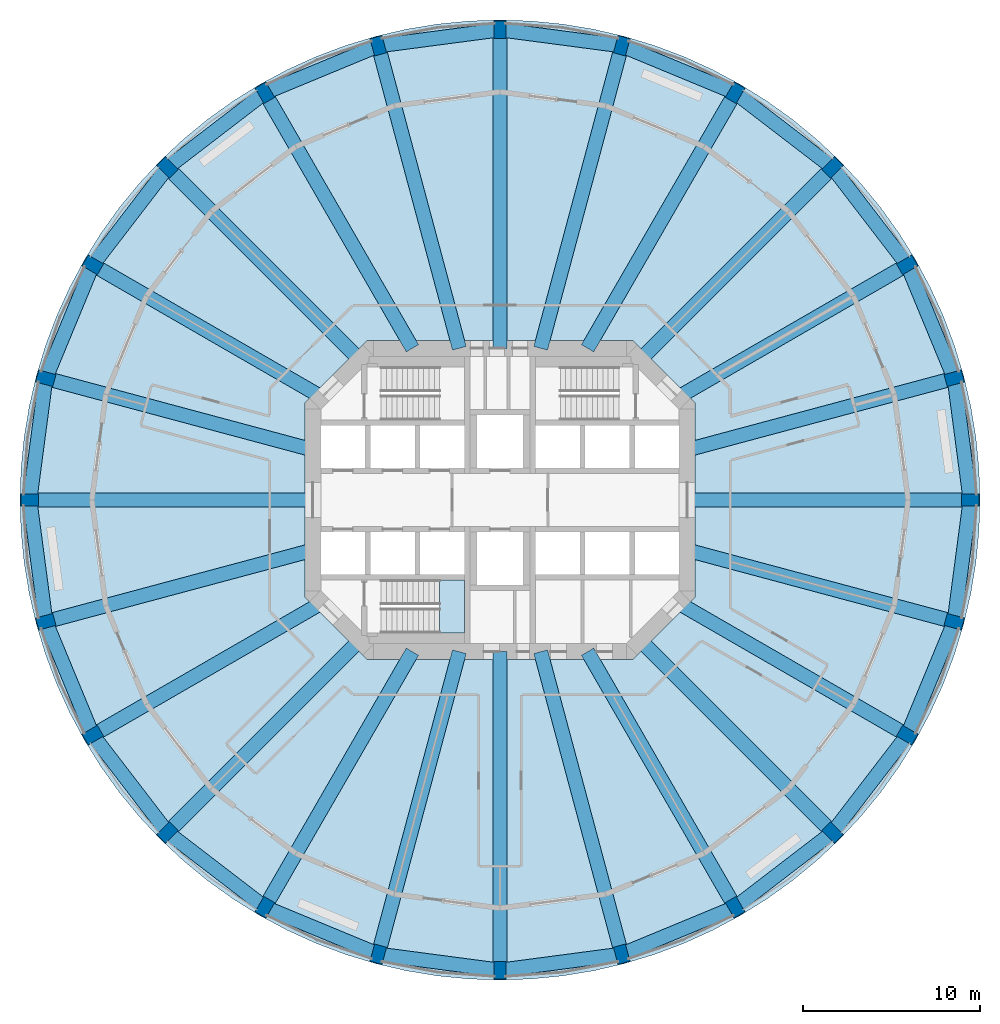
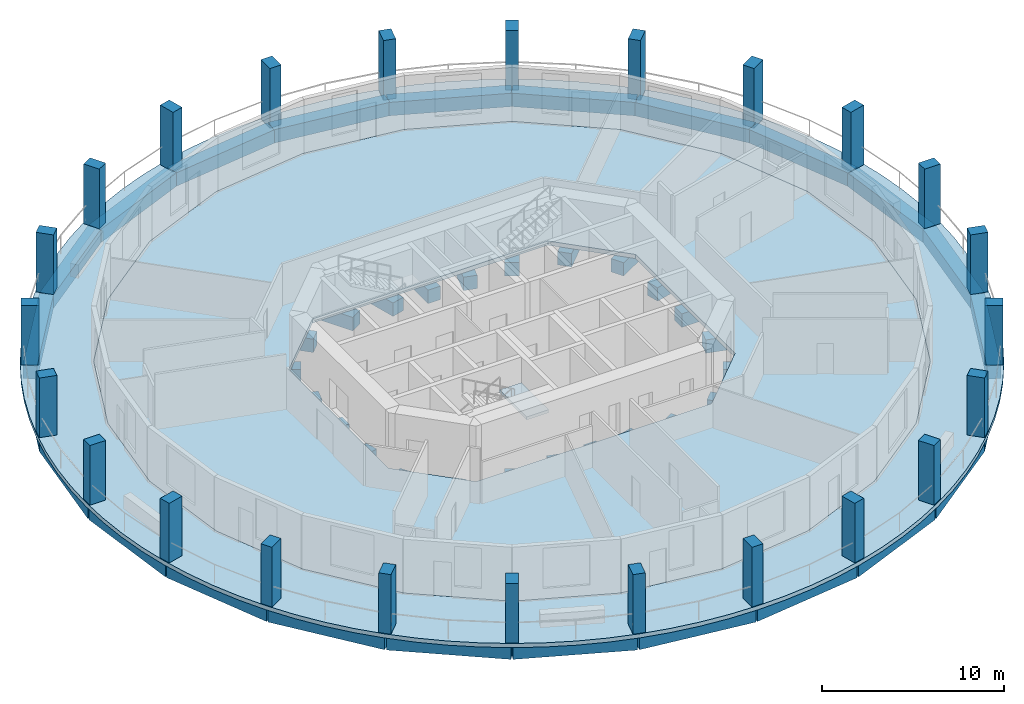
# One storey, part 1 of 9: 48 beams, 24 columns, 3 slabs, 1 element without a shape of its own.
"""IFC4 building model written with IfcOpenShell, lengths in metres."""

from ifc_helpers import new_model, si_unit, direction, frame, origin, origin_2d, place, context, subcontext, project, spatial, polyline, rectangle, outline, extrude, material, layer, layer_set, material_profile, profile_set, type_object, element, aggregate, save


model = new_model("IFC4")

# Units and contexts
model_context = context("Model", 3, precision=1e-05, world=origin(), true_north=direction((0.0, 1.0)))
body_context = subcontext(model_context, "Body", "Model", "MODEL_VIEW")
ifc_project = project(units=[si_unit("LENGTHUNIT", "METRE"), si_unit("AREAUNIT", "SQUARE_METRE"), si_unit("VOLUMEUNIT", "CUBIC_METRE"), si_unit("PLANEANGLEUNIT", "RADIAN"), si_unit("MASSUNIT", "GRAM", prefix="KILO")], contexts=[model_context])

# Site, building, storey
site_placement = place(None, origin())
site = spatial("IfcSite", under=ifc_project, at=site_placement, CompositionType="ELEMENT")
building_placement = place(site_placement, origin())
building = spatial("IfcBuilding", under=site, at=building_placement, Name="Torre Triforio", CompositionType="ELEMENT")
storey_placement = place(building_placement, frame((0.0, 0.0, 43.0)))
storey = spatial("IfcBuildingStorey", under=building, at=storey_placement, Name="L08", CompositionType="ELEMENT", Elevation=43.0)

# Columns
ifc_material_1 = material(Name="Concrete C70", Category="concrete")
ifc_material_profile_1 = material_profile(ifc_material_1, rectangle(XDim=0.699951171875, YDim=1.0, at=origin_2d()), Name="RC 700x1000")
ifc_profile_set_1 = profile_set([ifc_material_profile_1], Name="Concrete C70")
column_type = type_object("IfcColumnType", Name="Pier RC 700x1000 C70", PredefinedType="COLUMN", material=ifc_profile_set_1)
for number, where, z_axis, x_axis, name in (
    (1, (26.5, 0.0, 0.0), (0.0, 0.0, 1.0), (0.0, 1.0, 0.0), "COL.R.L08.00"),
    (2, (25.596923828125, 6.858642578125, 0.0), (0.0, 0.0, 1.0), (-0.258819045103, 0.965925826289, 0.0), "COL.R.L08.01"),
    (3, (22.94970703125, 13.25, 0.0), (0.0, 0.0, 1.0), (-0.5, 0.866025403784, 0.0), "COL.R.L08.02"),
    (4, (18.73828125, 18.73828125, 0.0), (0.0, 0.0, 1.0), (-0.707106781187, 0.707106781187, 0.0), "COL.R.L08.03"),
    (5, (13.25, 22.94970703125, 0.0), (0.0, 0.0, 1.0), (-0.866025403784, 0.5, 0.0), "COL.R.L08.04"),
    (6, (6.858642578125, 25.596923828125, 0.0), (0.0, 0.0, 1.0), (-0.965925826289, 0.258819045103, 0.0), "COL.R.L08.05"),
    (7, (0.0, 26.5, 0.0), (0.0, 0.0, 1.0), (-1.0, 0.0, 0.0), "COL.R.L08.06"),
    (8, (-6.858642578125, 25.596923828125, 0.0), (0.0, 0.0, 1.0), (-0.965925826289, -0.258819045103, 0.0), "COL.R.L08.07"),
    (9, (-13.25, 22.94970703125, 0.0), (0.0, 0.0, 1.0), (-0.866025403784, -0.5, 0.0), "COL.R.L08.08"),
    (10, (-18.73828125, 18.73828125, 0.0), (0.0, 0.0, 1.0), (-0.707106781187, -0.707106781187, 0.0), "COL.R.L08.09"),
    (11, (-22.94970703125, 13.25, 0.0), (0.0, 0.0, 1.0), (-0.5, -0.866025403784, 0.0), "COL.R.L08.10"),
    (12, (-25.596923828125, 6.858642578125, 0.0), (0.0, 0.0, 1.0), (-0.258819045103, -0.965925826289, 0.0), "COL.R.L08.11"),
    (13, (-26.5, 0.0, 0.0), (0.0, 0.0, 1.0), (0.0, -1.0, 0.0), "COL.R.L08.12"),
    (14, (-25.596923828125, -6.858642578125, 0.0), (0.0, 0.0, 1.0), (0.258819045103, -0.965925826289, 0.0), "COL.R.L08.13"),
    (15, (-22.94970703125, -13.25, 0.0), (0.0, 0.0, 1.0), (0.5, -0.866025403784, 0.0), "COL.R.L08.14"),
    (16, (-18.73828125, -18.73828125, 0.0), (0.0, 0.0, 1.0), (0.707106781187, -0.707106781187, 0.0), "COL.R.L08.15"),
    (17, (-13.25, -22.94970703125, 0.0), (0.0, 0.0, 1.0), (0.866025403784, -0.5, 0.0), "COL.R.L08.16"),
    (18, (-6.858642578125, -25.596923828125, 0.0), (0.0, 0.0, 1.0), (0.965925826289, -0.258819045103, 0.0), "COL.R.L08.17"),
    (19, (0.0, -26.5, 0.0), (0.0, 0.0, 1.0), (1.0, 0.0, 0.0), "COL.R.L08.18"),
    (20, (6.858642578125, -25.596923828125, 0.0), (0.0, 0.0, 1.0), (0.965925826289, 0.258819045103, 0.0), "COL.R.L08.19"),
    (21, (13.25, -22.94970703125, 0.0), (0.0, 0.0, 1.0), (0.866025403784, 0.5, 0.0), "COL.R.L08.20"),
    (22, (18.73828125, -18.73828125, 0.0), (0.0, 0.0, 1.0), (0.707106781187, 0.707106781187, 0.0), "COL.R.L08.21"),
    (23, (22.94970703125, -13.25, 0.0), (0.0, 0.0, 1.0), (0.5, 0.866025403784, 0.0), "COL.R.L08.22"),
    (24, (25.596923828125, -6.858642578125, 0.0), (0.0, 0.0, 1.0), (0.258819045103, 0.965925826289, 0.0), "COL.R.L08.23"),
):
    element("IfcColumn", number, at=place(storey_placement, frame(where, z_axis=z_axis, x_axis=x_axis)), inside=storey, type_object=column_type, Name=name, PredefinedType="COLUMN", context=body_context, shape_type="SweptSolid", body=[
        extrude(rectangle(XDim=0.699951171875, YDim=1.0, at=origin_2d()), origin(), (0.0, 0.0, 1.0), 4.0),
    ])

# Beams
ifc_material_2 = material(Name="Concrete C50", Category="concrete")
ifc_material_profile_2 = material_profile(ifc_material_2, rectangle(XDim=0.800048828125, YDim=0.89990234375, at=origin_2d()), Name="RC 800x900")
ifc_profile_set_2 = profile_set([ifc_material_profile_2], Name="Concrete C50")
beam_type_1 = type_object("IfcBeamType", Name="Radial beam RC 800x900 C50", PredefinedType="BEAM", material=ifc_profile_set_2)
beam_1_placement = place(storey_placement, frame((10.550048828125, 0.0, -0.72998046875), z_axis=(1.0, 0.0, 0.0), x_axis=(0.0, 1.0, 0.0)))
element("IfcBeam", 25, at=beam_1_placement, inside=storey, type_object=beam_type_1, Name="BM.R.L08.00", PredefinedType="BEAM", context=body_context, shape_type="SweptSolid", body=[
    extrude(rectangle(XDim=0.800048828125, YDim=0.89990234375, at=origin_2d()), origin(), (0.0, 0.0, 1.0), 15.949951171875),
])
beam_2_placement = place(storey_placement, frame((10.550048828125, 2.826904296875, -0.72998046875), z_axis=(0.965926784764, 0.258815467997, 0.0), x_axis=(-0.258815467997, 0.965926784764, 0.0)))
element("IfcBeam", 26, at=beam_2_placement, inside=storey, type_object=beam_type_1, Name="BM.R.L08.01", PredefinedType="BEAM", context=body_context, shape_type="SweptSolid", body=[
    extrude(rectangle(XDim=0.800048828125, YDim=0.89990234375, at=origin_2d()), origin(), (0.0, 0.0, 1.0), 15.57763671875),
])
beam_3_placement = place(storey_placement, frame((10.039794921875, 5.796630859375, -0.72998046875), z_axis=(0.866030402573, 0.499991341745, 0.0), x_axis=(-0.499991341745, 0.866030402573, 0.0)))
element("IfcBeam", 27, at=beam_3_placement, inside=storey, type_object=beam_type_1, Name="BM.R.L08.02", PredefinedType="BEAM", context=body_context, shape_type="SweptSolid", body=[
    extrude(rectangle(XDim=0.800048828125, YDim=0.89990234375, at=origin_2d()), origin(), (0.0, 0.0, 1.0), 14.906982421875),
])
beam_4_placement = place(storey_placement, frame((7.918212890625, 7.918212890625, -0.72998046875), z_axis=(0.707106781187, 0.707106781187, 0.0), x_axis=(-0.707106781187, 0.707106781187, 0.0)))
element("IfcBeam", 28, at=beam_4_placement, inside=storey, type_object=beam_type_1, Name="BM.R.L08.03", PredefinedType="BEAM", context=body_context, shape_type="SweptSolid", body=[
    extrude(rectangle(XDim=0.800048828125, YDim=0.89990234375, at=origin_2d()), origin(), (0.0, 0.0, 1.0), 15.302001953125),
])
beam_5_placement = place(storey_placement, frame((4.936279296875, 8.550048828125, -0.72998046875), z_axis=(0.500003345241, 0.8660234724, 0.0), x_axis=(-0.8660234724, 0.500003345241, 0.0)))
element("IfcBeam", 29, at=beam_5_placement, inside=storey, type_object=beam_type_1, Name="BM.R.L08.04", PredefinedType="BEAM", context=body_context, shape_type="SweptSolid", body=[
    extrude(rectangle(XDim=0.800048828125, YDim=0.89990234375, at=origin_2d()), origin(), (0.0, 0.0, 1.0), 16.62744140625),
])
beam_6_placement = place(storey_placement, frame((2.291015625, 8.550048828125, -0.72998046875), z_axis=(0.258815374176, 0.965926809903, 0.0), x_axis=(-0.965926809903, 0.258815374176, 0.0)))
element("IfcBeam", 30, at=beam_6_placement, inside=storey, type_object=beam_type_1, Name="BM.R.L08.05", PredefinedType="BEAM", context=body_context, shape_type="SweptSolid", body=[
    extrude(rectangle(XDim=0.800048828125, YDim=0.89990234375, at=origin_2d()), origin(), (0.0, 0.0, 1.0), 17.648193359375),
])
beam_7_placement = place(storey_placement, frame((0.0, 8.550048828125, -0.72998046875), z_axis=(0.0, 1.0, 0.0), x_axis=(-1.0, 0.0, 0.0)))
element("IfcBeam", 31, at=beam_7_placement, inside=storey, type_object=beam_type_1, Name="BM.R.L08.06", PredefinedType="BEAM", context=body_context, shape_type="SweptSolid", body=[
    extrude(rectangle(XDim=0.800048828125, YDim=0.89990234375, at=origin_2d()), origin(), (0.0, 0.0, 1.0), 17.949951171875),
])
beam_8_placement = place(storey_placement, frame((-2.291015625, 8.550048828125, -0.72998046875), z_axis=(-0.258815374176, 0.965926809903, 0.0), x_axis=(-0.965926809903, -0.258815374176, 0.0)))
element("IfcBeam", 32, at=beam_8_placement, inside=storey, type_object=beam_type_1, Name="BM.R.L08.07", PredefinedType="BEAM", context=body_context, shape_type="SweptSolid", body=[
    extrude(rectangle(XDim=0.800048828125, YDim=0.89990234375, at=origin_2d()), origin(), (0.0, 0.0, 1.0), 17.648193359375),
])
beam_9_placement = place(storey_placement, frame((-4.936279296875, 8.550048828125, -0.72998046875), z_axis=(-0.500003345241, 0.8660234724, 0.0), x_axis=(-0.8660234724, -0.500003345241, 0.0)))
element("IfcBeam", 33, at=beam_9_placement, inside=storey, type_object=beam_type_1, Name="BM.R.L08.08", PredefinedType="BEAM", context=body_context, shape_type="SweptSolid", body=[
    extrude(rectangle(XDim=0.800048828125, YDim=0.89990234375, at=origin_2d()), origin(), (0.0, 0.0, 1.0), 16.62744140625),
])
beam_10_placement = place(storey_placement, frame((-7.918212890625, 7.918212890625, -0.72998046875), z_axis=(-0.707106781187, 0.707106781187, 0.0), x_axis=(-0.707106781187, -0.707106781187, 0.0)))
element("IfcBeam", 34, at=beam_10_placement, inside=storey, type_object=beam_type_1, Name="BM.R.L08.09", PredefinedType="BEAM", context=body_context, shape_type="SweptSolid", body=[
    extrude(rectangle(XDim=0.800048828125, YDim=0.89990234375, at=origin_2d()), origin(), (0.0, 0.0, 1.0), 15.302001953125),
])
beam_11_placement = place(storey_placement, frame((-10.039794921875, 5.796630859375, -0.72998046875), z_axis=(-0.866030402573, 0.499991341745, 0.0), x_axis=(-0.499991341745, -0.866030402573, 0.0)))
element("IfcBeam", 35, at=beam_11_placement, inside=storey, type_object=beam_type_1, Name="BM.R.L08.10", PredefinedType="BEAM", context=body_context, shape_type="SweptSolid", body=[
    extrude(rectangle(XDim=0.800048828125, YDim=0.89990234375, at=origin_2d()), origin(), (0.0, 0.0, 1.0), 14.906982421875),
])
beam_12_placement = place(storey_placement, frame((-10.550048828125, 2.826904296875, -0.72998046875), z_axis=(-0.965926784764, 0.258815467997, 0.0), x_axis=(-0.258815467997, -0.965926784764, 0.0)))
element("IfcBeam", 36, at=beam_12_placement, inside=storey, type_object=beam_type_1, Name="BM.R.L08.11", PredefinedType="BEAM", context=body_context, shape_type="SweptSolid", body=[
    extrude(rectangle(XDim=0.800048828125, YDim=0.89990234375, at=origin_2d()), origin(), (0.0, 0.0, 1.0), 15.57763671875),
])
beam_13_placement = place(storey_placement, frame((-10.550048828125, 0.0, -0.72998046875), z_axis=(-1.0, 0.0, 0.0), x_axis=(0.0, -1.0, 0.0)))
element("IfcBeam", 37, at=beam_13_placement, inside=storey, type_object=beam_type_1, Name="BM.R.L08.12", PredefinedType="BEAM", context=body_context, shape_type="SweptSolid", body=[
    extrude(rectangle(XDim=0.800048828125, YDim=0.89990234375, at=origin_2d()), origin(), (0.0, 0.0, 1.0), 15.949951171875),
])
beam_14_placement = place(storey_placement, frame((-10.550048828125, -2.826904296875, -0.72998046875), z_axis=(-0.965926784764, -0.258815467997, 0.0), x_axis=(0.258815467997, -0.965926784764, 0.0)))
element("IfcBeam", 38, at=beam_14_placement, inside=storey, type_object=beam_type_1, Name="BM.R.L08.13", PredefinedType="BEAM", context=body_context, shape_type="SweptSolid", body=[
    extrude(rectangle(XDim=0.800048828125, YDim=0.89990234375, at=origin_2d()), origin(), (0.0, 0.0, 1.0), 15.57763671875),
])
beam_15_placement = place(storey_placement, frame((-10.039794921875, -5.796630859375, -0.72998046875), z_axis=(-0.866030402573, -0.499991341745, 0.0), x_axis=(0.499991341745, -0.866030402573, 0.0)))
element("IfcBeam", 39, at=beam_15_placement, inside=storey, type_object=beam_type_1, Name="BM.R.L08.14", PredefinedType="BEAM", context=body_context, shape_type="SweptSolid", body=[
    extrude(rectangle(XDim=0.800048828125, YDim=0.89990234375, at=origin_2d()), origin(), (0.0, 0.0, 1.0), 14.906982421875),
])
beam_16_placement = place(storey_placement, frame((-7.918212890625, -7.918212890625, -0.72998046875), z_axis=(-0.707106781187, -0.707106781187, 0.0), x_axis=(0.707106781187, -0.707106781187, 0.0)))
element("IfcBeam", 40, at=beam_16_placement, inside=storey, type_object=beam_type_1, Name="BM.R.L08.15", PredefinedType="BEAM", context=body_context, shape_type="SweptSolid", body=[
    extrude(rectangle(XDim=0.800048828125, YDim=0.89990234375, at=origin_2d()), origin(), (0.0, 0.0, 1.0), 15.302001953125),
])
beam_17_placement = place(storey_placement, frame((-4.936279296875, -8.550048828125, -0.72998046875), z_axis=(-0.500003345241, -0.8660234724, 0.0), x_axis=(0.8660234724, -0.500003345241, 0.0)))
element("IfcBeam", 41, at=beam_17_placement, inside=storey, type_object=beam_type_1, Name="BM.R.L08.16", PredefinedType="BEAM", context=body_context, shape_type="SweptSolid", body=[
    extrude(rectangle(XDim=0.800048828125, YDim=0.89990234375, at=origin_2d()), origin(), (0.0, 0.0, 1.0), 16.62744140625),
])
beam_18_placement = place(storey_placement, frame((-2.291015625, -8.550048828125, -0.72998046875), z_axis=(-0.258815374176, -0.965926809903, 0.0), x_axis=(0.965926809903, -0.258815374176, 0.0)))
element("IfcBeam", 42, at=beam_18_placement, inside=storey, type_object=beam_type_1, Name="BM.R.L08.17", PredefinedType="BEAM", context=body_context, shape_type="SweptSolid", body=[
    extrude(rectangle(XDim=0.800048828125, YDim=0.89990234375, at=origin_2d()), origin(), (0.0, 0.0, 1.0), 17.648193359375),
])
beam_19_placement = place(storey_placement, frame((0.0, -8.550048828125, -0.72998046875), z_axis=(0.0, -1.0, 0.0), x_axis=(1.0, 0.0, 0.0)))
element("IfcBeam", 43, at=beam_19_placement, inside=storey, type_object=beam_type_1, Name="BM.R.L08.18", PredefinedType="BEAM", context=body_context, shape_type="SweptSolid", body=[
    extrude(rectangle(XDim=0.800048828125, YDim=0.89990234375, at=origin_2d()), origin(), (0.0, 0.0, 1.0), 17.949951171875),
])
beam_20_placement = place(storey_placement, frame((2.291015625, -8.550048828125, -0.72998046875), z_axis=(0.258815374176, -0.965926809903, 0.0), x_axis=(0.965926809903, 0.258815374176, 0.0)))
element("IfcBeam", 44, at=beam_20_placement, inside=storey, type_object=beam_type_1, Name="BM.R.L08.19", PredefinedType="BEAM", context=body_context, shape_type="SweptSolid", body=[
    extrude(rectangle(XDim=0.800048828125, YDim=0.89990234375, at=origin_2d()), origin(), (0.0, 0.0, 1.0), 17.648193359375),
])
beam_21_placement = place(storey_placement, frame((4.936279296875, -8.550048828125, -0.72998046875), z_axis=(0.500003345241, -0.8660234724, 0.0), x_axis=(0.8660234724, 0.500003345241, 0.0)))
element("IfcBeam", 45, at=beam_21_placement, inside=storey, type_object=beam_type_1, Name="BM.R.L08.20", PredefinedType="BEAM", context=body_context, shape_type="SweptSolid", body=[
    extrude(rectangle(XDim=0.800048828125, YDim=0.89990234375, at=origin_2d()), origin(), (0.0, 0.0, 1.0), 16.62744140625),
])
beam_22_placement = place(storey_placement, frame((7.918212890625, -7.918212890625, -0.72998046875), z_axis=(0.707106781187, -0.707106781187, 0.0), x_axis=(0.707106781187, 0.707106781187, 0.0)))
element("IfcBeam", 46, at=beam_22_placement, inside=storey, type_object=beam_type_1, Name="BM.R.L08.21", PredefinedType="BEAM", context=body_context, shape_type="SweptSolid", body=[
    extrude(rectangle(XDim=0.800048828125, YDim=0.89990234375, at=origin_2d()), origin(), (0.0, 0.0, 1.0), 15.302001953125),
])
beam_23_placement = place(storey_placement, frame((10.039794921875, -5.796630859375, -0.72998046875), z_axis=(0.866030402573, -0.499991341745, 0.0), x_axis=(0.499991341745, 0.866030402573, 0.0)))
element("IfcBeam", 47, at=beam_23_placement, inside=storey, type_object=beam_type_1, Name="BM.R.L08.22", PredefinedType="BEAM", context=body_context, shape_type="SweptSolid", body=[
    extrude(rectangle(XDim=0.800048828125, YDim=0.89990234375, at=origin_2d()), origin(), (0.0, 0.0, 1.0), 14.906982421875),
])
beam_24_placement = place(storey_placement, frame((10.550048828125, -2.826904296875, -0.72998046875), z_axis=(0.965926784764, -0.258815467997, 0.0), x_axis=(0.258815467997, 0.965926784764, 0.0)))
element("IfcBeam", 48, at=beam_24_placement, inside=storey, type_object=beam_type_1, Name="BM.R.L08.23", PredefinedType="BEAM", context=body_context, shape_type="SweptSolid", body=[
    extrude(rectangle(XDim=0.800048828125, YDim=0.89990234375, at=origin_2d()), origin(), (0.0, 0.0, 1.0), 15.57763671875),
])
ifc_material_profile_3 = material_profile(ifc_material_2, rectangle(XDim=0.800048828125, YDim=0.89990234375, at=origin_2d()), Name="RC 800x900")
ifc_profile_set_3 = profile_set([ifc_material_profile_3], Name="Concrete C50")
beam_type_2 = type_object("IfcBeamType", Name="Spandrel beam RC 800x900 C50", PredefinedType="SPANDREL", material=ifc_profile_set_3)
beam_25_placement = place(storey_placement, frame((26.5, 0.0, -0.72998046875), z_axis=(-0.130543064996, 0.991442639885, 0.0), x_axis=(-0.991442639885, -0.130543064996, 0.0)))
element("IfcBeam", 49, at=beam_25_placement, inside=storey, type_object=beam_type_2, Name="BM.S.L08.00", PredefinedType="SPANDREL", context=body_context, shape_type="SweptSolid", body=[
    extrude(rectangle(XDim=0.800048828125, YDim=0.89990234375, at=origin_2d()), origin(), (0.0, 0.0, 1.0), 6.917724609375),
])
for number, where, z_axis, x_axis, name in (
    (50, (25.596923828125, 6.858642578125, -0.72998046875), (-0.382662441128, 0.923888227087, 0.0), (-0.923888227087, -0.382662441128, 0.0), "BM.S.L08.01"),
    (51, (22.94970703125, 13.25, -0.72998046875), (-0.608772297796, 0.793345000259, 0.0), (-0.793345000259, -0.608772297796, 0.0), "BM.S.L08.02"),
    (52, (18.73828125, 18.73828125, -0.72998046875), (-0.793345000259, 0.608772297796, 0.0), (-0.608772297796, -0.793345000259, 0.0), "BM.S.L08.03"),
    (53, (13.25, 22.94970703125, -0.72998046875), (-0.923888227087, 0.382662441128, 0.0), (-0.382662441128, -0.923888227087, 0.0), "BM.S.L08.04"),
):
    element("IfcBeam", number, at=place(storey_placement, frame(where, z_axis=z_axis, x_axis=x_axis)), inside=storey, type_object=beam_type_2, Name=name, PredefinedType="SPANDREL", context=body_context, shape_type="SweptSolid", body=[
        extrude(rectangle(XDim=0.800048828125, YDim=0.89990234375, at=origin_2d()), origin(), (0.0, 0.0, 1.0), 6.91796875),
    ])
for number, where, z_axis, x_axis, name in (
    (54, (6.858642578125, 25.596923828125, -0.72998046875), (-0.991442639885, 0.130543064996, 0.0), (-0.130543064996, -0.991442639885, 0.0), "BM.S.L08.05"),
    (55, (0.0, 26.5, -0.72998046875), (-0.991442639885, -0.130543064996, 0.0), (0.130543064996, -0.991442639885, 0.0), "BM.S.L08.06"),
):
    element("IfcBeam", number, at=place(storey_placement, frame(where, z_axis=z_axis, x_axis=x_axis)), inside=storey, type_object=beam_type_2, Name=name, PredefinedType="SPANDREL", context=body_context, shape_type="SweptSolid", body=[
        extrude(rectangle(XDim=0.800048828125, YDim=0.89990234375, at=origin_2d()), origin(), (0.0, 0.0, 1.0), 6.917724609375),
    ])
for number, where, z_axis, x_axis, name in (
    (56, (-6.858642578125, 25.596923828125, -0.72998046875), (-0.923888227087, -0.382662441128, 0.0), (0.382662441128, -0.923888227087, 0.0), "BM.S.L08.07"),
    (57, (-13.25, 22.94970703125, -0.72998046875), (-0.793345000259, -0.608772297796, 0.0), (0.608772297796, -0.793345000259, 0.0), "BM.S.L08.08"),
    (58, (-18.73828125, 18.73828125, -0.72998046875), (-0.608772297796, -0.793345000259, 0.0), (0.793345000259, -0.608772297796, 0.0), "BM.S.L08.09"),
    (59, (-22.94970703125, 13.25, -0.72998046875), (-0.382662441128, -0.923888227087, 0.0), (0.923888227087, -0.382662441128, 0.0), "BM.S.L08.10"),
):
    element("IfcBeam", number, at=place(storey_placement, frame(where, z_axis=z_axis, x_axis=x_axis)), inside=storey, type_object=beam_type_2, Name=name, PredefinedType="SPANDREL", context=body_context, shape_type="SweptSolid", body=[
        extrude(rectangle(XDim=0.800048828125, YDim=0.89990234375, at=origin_2d()), origin(), (0.0, 0.0, 1.0), 6.91796875),
    ])
for number, where, z_axis, x_axis, name in (
    (60, (-25.596923828125, 6.858642578125, -0.72998046875), (-0.130543064996, -0.991442639885, 0.0), (0.991442639885, -0.130543064996, 0.0), "BM.S.L08.11"),
    (61, (-26.5, 0.0, -0.72998046875), (0.130543064996, -0.991442639885, 0.0), (0.991442639885, 0.130543064996, 0.0), "BM.S.L08.12"),
):
    element("IfcBeam", number, at=place(storey_placement, frame(where, z_axis=z_axis, x_axis=x_axis)), inside=storey, type_object=beam_type_2, Name=name, PredefinedType="SPANDREL", context=body_context, shape_type="SweptSolid", body=[
        extrude(rectangle(XDim=0.800048828125, YDim=0.89990234375, at=origin_2d()), origin(), (0.0, 0.0, 1.0), 6.917724609375),
    ])
for number, where, z_axis, x_axis, name in (
    (62, (-25.596923828125, -6.858642578125, -0.72998046875), (0.382662441128, -0.923888227087, 0.0), (0.923888227087, 0.382662441128, 0.0), "BM.S.L08.13"),
    (63, (-22.94970703125, -13.25, -0.72998046875), (0.608772297796, -0.793345000259, 0.0), (0.793345000259, 0.608772297796, 0.0), "BM.S.L08.14"),
    (64, (-18.73828125, -18.73828125, -0.72998046875), (0.793345000259, -0.608772297796, 0.0), (0.608772297796, 0.793345000259, 0.0), "BM.S.L08.15"),
    (65, (-13.25, -22.94970703125, -0.72998046875), (0.923888227087, -0.382662441128, 0.0), (0.382662441128, 0.923888227087, 0.0), "BM.S.L08.16"),
):
    element("IfcBeam", number, at=place(storey_placement, frame(where, z_axis=z_axis, x_axis=x_axis)), inside=storey, type_object=beam_type_2, Name=name, PredefinedType="SPANDREL", context=body_context, shape_type="SweptSolid", body=[
        extrude(rectangle(XDim=0.800048828125, YDim=0.89990234375, at=origin_2d()), origin(), (0.0, 0.0, 1.0), 6.91796875),
    ])
for number, where, z_axis, x_axis, name in (
    (66, (-6.858642578125, -25.596923828125, -0.72998046875), (0.991442639885, -0.130543064996, 0.0), (0.130543064996, 0.991442639885, 0.0), "BM.S.L08.17"),
    (67, (0.0, -26.5, -0.72998046875), (0.991442639885, 0.130543064996, 0.0), (-0.130543064996, 0.991442639885, 0.0), "BM.S.L08.18"),
):
    element("IfcBeam", number, at=place(storey_placement, frame(where, z_axis=z_axis, x_axis=x_axis)), inside=storey, type_object=beam_type_2, Name=name, PredefinedType="SPANDREL", context=body_context, shape_type="SweptSolid", body=[
        extrude(rectangle(XDim=0.800048828125, YDim=0.89990234375, at=origin_2d()), origin(), (0.0, 0.0, 1.0), 6.917724609375),
    ])
for number, where, z_axis, x_axis, name in (
    (68, (6.858642578125, -25.596923828125, -0.72998046875), (0.923888227087, 0.382662441128, 0.0), (-0.382662441128, 0.923888227087, 0.0), "BM.S.L08.19"),
    (69, (13.25, -22.94970703125, -0.72998046875), (0.793345000259, 0.608772297796, 0.0), (-0.608772297796, 0.793345000259, 0.0), "BM.S.L08.20"),
    (70, (18.73828125, -18.73828125, -0.72998046875), (0.608772297796, 0.793345000259, 0.0), (-0.793345000259, 0.608772297796, 0.0), "BM.S.L08.21"),
    (71, (22.94970703125, -13.25, -0.72998046875), (0.382662441128, 0.923888227087, 0.0), (-0.923888227087, 0.382662441128, 0.0), "BM.S.L08.22"),
):
    element("IfcBeam", number, at=place(storey_placement, frame(where, z_axis=z_axis, x_axis=x_axis)), inside=storey, type_object=beam_type_2, Name=name, PredefinedType="SPANDREL", context=body_context, shape_type="SweptSolid", body=[
        extrude(rectangle(XDim=0.800048828125, YDim=0.89990234375, at=origin_2d()), origin(), (0.0, 0.0, 1.0), 6.91796875),
    ])
beam_26_placement = place(storey_placement, frame((25.596923828125, -6.858642578125, -0.72998046875), z_axis=(0.130543064996, 0.991442639885, 0.0), x_axis=(-0.991442639885, 0.130543064996, 0.0)))
element("IfcBeam", 72, at=beam_26_placement, inside=storey, type_object=beam_type_2, Name="BM.S.L08.23", PredefinedType="SPANDREL", context=body_context, shape_type="SweptSolid", body=[
    extrude(rectangle(XDim=0.800048828125, YDim=0.89990234375, at=origin_2d()), origin(), (0.0, 0.0, 1.0), 6.917724609375),
])

# Slabs
ifc_layer_1 = layer(ifc_material_2, 0.280029296875)
ifc_layer_set_1 = layer_set([ifc_layer_1], Name="Concrete C50")
slab_type_1 = type_object("IfcSlabType", Name="Floor slab 280 C50", PredefinedType="FLOOR", material=ifc_layer_set_1)
slab_1_placement = place(storey_placement, frame((0.0, 0.0, -0.280029296875)))
element("IfcSlab", 73, at=slab_1_placement, inside=storey, type_object=slab_type_1, Name="SL.L08", PredefinedType="FLOOR", context=body_context, shape_type="SweptSolid", body=[
    extrude(outline(polyline([(19.918701171875, -11.5), (22.21630859375, -5.952880859375), (23.0, 0.0), (22.21630859375, 5.952880859375), (19.918701171875, 11.5), (16.263427734375, 16.263427734375), (11.5, 19.918701171875), (5.952880859375, 22.21630859375), (0.0, 23.0), (-5.952880859375, 22.21630859375), (-11.5, 19.918701171875), (-16.263427734375, 16.263427734375), (-19.918701171875, 11.5), (-22.21630859375, 5.952880859375), (-23.0, 0.0), (-22.21630859375, -5.952880859375), (-19.918701171875, -11.5), (-16.263427734375, -16.263427734375), (-11.5, -19.918701171875), (-5.952880859375, -22.21630859375), (0.0, -23.0), (5.952880859375, -22.21630859375), (11.5, -19.918701171875), (16.263427734375, -16.263427734375), (19.918701171875, -11.5)]), holes=[polyline([(11.0, 5.472900390625), (11.0, -5.472900390625), (7.472900390625, -9.0), (-7.472900390625, -9.0), (-11.0, -5.472900390625), (-11.0, 5.472900390625), (-7.472900390625, 9.0), (7.472900390625, 9.0), (11.0, 5.472900390625)])]), origin(), (0.0, 0.0, 1.0), 0.280029296875),
])
ifc_layer_2 = layer(ifc_material_2, 0.280029296875)
ifc_layer_set_2 = layer_set([ifc_layer_2], Name="Concrete C50")
slab_type_2 = type_object("IfcSlabType", Name="Loggia slab 280 C50", PredefinedType="FLOOR", material=ifc_layer_set_2)
slab_2_placement = place(storey_placement, frame((0.0, 0.0, -0.280029296875)))
element("IfcSlab", 74, at=slab_2_placement, inside=storey, type_object=slab_type_2, Name="SL.L08.LG", PredefinedType="FLOOR", context=body_context, shape_type="SweptSolid", body=[
    extrude(outline(polyline([(26.9921875, -1.76904296875), (27.050048828125, 0.0), (26.9921875, 1.76904296875), (26.818603515625, 3.53076171875), (26.5302734375, 5.277099609375), (26.128173828125, 7.0009765625), (25.614501953125, 8.69482421875), (24.990966796875, 10.3515625), (24.260498046875, 11.9638671875), (23.426025390625, 13.52490234375), (22.4912109375, 15.028076171875), (21.460205078125, 16.467041015625), (20.337158203125, 17.835205078125), (19.127197265625, 19.127197265625), (17.835205078125, 20.337158203125), (16.467041015625, 21.460205078125), (15.028076171875, 22.4912109375), (13.52490234375, 23.426025390625), (11.9638671875, 24.260498046875), (10.3515625, 24.990966796875), (8.69482421875, 25.614501953125), (7.0009765625, 26.128173828125), (5.277099609375, 26.5302734375), (3.53076171875, 26.818603515625), (1.76904296875, 26.9921875), (0.0, 27.050048828125), (-1.76904296875, 26.9921875), (-3.53076171875, 26.818603515625), (-5.277099609375, 26.5302734375), (-7.0009765625, 26.128173828125), (-8.69482421875, 25.614501953125), (-10.3515625, 24.990966796875), (-11.9638671875, 24.260498046875), (-13.52490234375, 23.426025390625), (-15.028076171875, 22.4912109375), (-16.467041015625, 21.460205078125), (-17.835205078125, 20.337158203125), (-19.127197265625, 19.127197265625), (-20.337158203125, 17.835205078125), (-21.460205078125, 16.467041015625), (-22.4912109375, 15.028076171875), (-23.426025390625, 13.52490234375), (-24.260498046875, 11.9638671875), (-24.990966796875, 10.3515625), (-25.614501953125, 8.69482421875), (-26.128173828125, 7.0009765625), (-26.5302734375, 5.277099609375), (-26.818603515625, 3.53076171875), (-26.9921875, 1.76904296875), (-27.050048828125, 0.0), (-26.9921875, -1.76904296875), (-26.818603515625, -3.53076171875), (-26.5302734375, -5.277099609375), (-26.128173828125, -7.0009765625), (-25.614501953125, -8.69482421875), (-24.990966796875, -10.3515625), (-24.260498046875, -11.9638671875), (-23.426025390625, -13.52490234375), (-22.4912109375, -15.028076171875), (-21.460205078125, -16.467041015625), (-20.337158203125, -17.835205078125), (-19.127197265625, -19.127197265625), (-17.835205078125, -20.337158203125), (-16.467041015625, -21.460205078125), (-15.028076171875, -22.4912109375), (-13.52490234375, -23.426025390625), (-11.9638671875, -24.260498046875), (-10.3515625, -24.990966796875), (-8.69482421875, -25.614501953125), (-7.0009765625, -26.128173828125), (-5.277099609375, -26.5302734375), (-3.53076171875, -26.818603515625), (-1.76904296875, -26.9921875), (0.0, -27.050048828125), (1.76904296875, -26.9921875), (3.53076171875, -26.818603515625), (5.277099609375, -26.5302734375), (7.0009765625, -26.128173828125), (8.69482421875, -25.614501953125), (10.3515625, -24.990966796875), (11.9638671875, -24.260498046875), (13.52490234375, -23.426025390625), (15.028076171875, -22.4912109375), (16.467041015625, -21.460205078125), (17.835205078125, -20.337158203125), (19.127197265625, -19.127197265625), (20.337158203125, -17.835205078125), (21.460205078125, -16.467041015625), (22.4912109375, -15.028076171875), (23.426025390625, -13.52490234375), (24.260498046875, -11.9638671875), (24.990966796875, -10.3515625), (25.614501953125, -8.69482421875), (26.128173828125, -7.0009765625), (26.5302734375, -5.277099609375), (26.818603515625, -3.53076171875), (26.9921875, -1.76904296875)]), holes=[polyline([(22.21630859375, 5.952880859375), (23.0, 0.0), (22.21630859375, -5.952880859375), (19.918701171875, -11.5), (16.263427734375, -16.263427734375), (11.5, -19.918701171875), (5.952880859375, -22.21630859375), (0.0, -23.0), (-5.952880859375, -22.21630859375), (-11.5, -19.918701171875), (-16.263427734375, -16.263427734375), (-19.918701171875, -11.5), (-22.21630859375, -5.952880859375), (-23.0, 0.0), (-22.21630859375, 5.952880859375), (-19.918701171875, 11.5), (-16.263427734375, 16.263427734375), (-11.5, 19.918701171875), (-5.952880859375, 22.21630859375), (0.0, 23.0), (5.952880859375, 22.21630859375), (11.5, 19.918701171875), (16.263427734375, 16.263427734375), (19.918701171875, 11.5), (22.21630859375, 5.952880859375)])]), origin(), (0.0, 0.0, 1.0), 0.280029296875),
])

# Stair, slab
ifc_material_3 = material(Name="Concrete C40", Category="concrete")
stair_type = type_object("IfcStairType", Name="STAIR HALF-TURN", PredefinedType="HALF_TURN_STAIR", material=ifc_material_3)
stair_placement = place(storey_placement, origin())
stair = element("IfcStair", 75, at=stair_placement, inside=storey, type_object=stair_type, Name="Exit stair 3", PredefinedType="HALF_TURN_STAIR")
ifc_layer_3 = layer(ifc_material_3, 0.199951171875)
ifc_layer_set_3 = layer_set([ifc_layer_3], Name="Concrete C40")
slab_type_3 = type_object("IfcSlabType", Name="STAIR LANDING 200", PredefinedType="LANDING", material=ifc_layer_set_3)
slab_3_placement = place(storey_placement, frame((0.0, 0.0, 1.800048828125)))
slab_3 = element("IfcSlab", 76, at=slab_3_placement, type_object=slab_type_3, Name="ST3 landing 1", PredefinedType="LANDING", context=body_context, shape_type="SweptSolid", body=[
    extrude(outline(polyline([(-2.0, -7.5), (-2.0, -4.5), (-3.39990234375, -4.5), (-3.39990234375, -7.5), (-2.0, -7.5)])), origin(), (0.0, 0.0, 1.0), 0.199951171875),
])
aggregate(stair, [slab_3])

save(model, "model.ifc")
